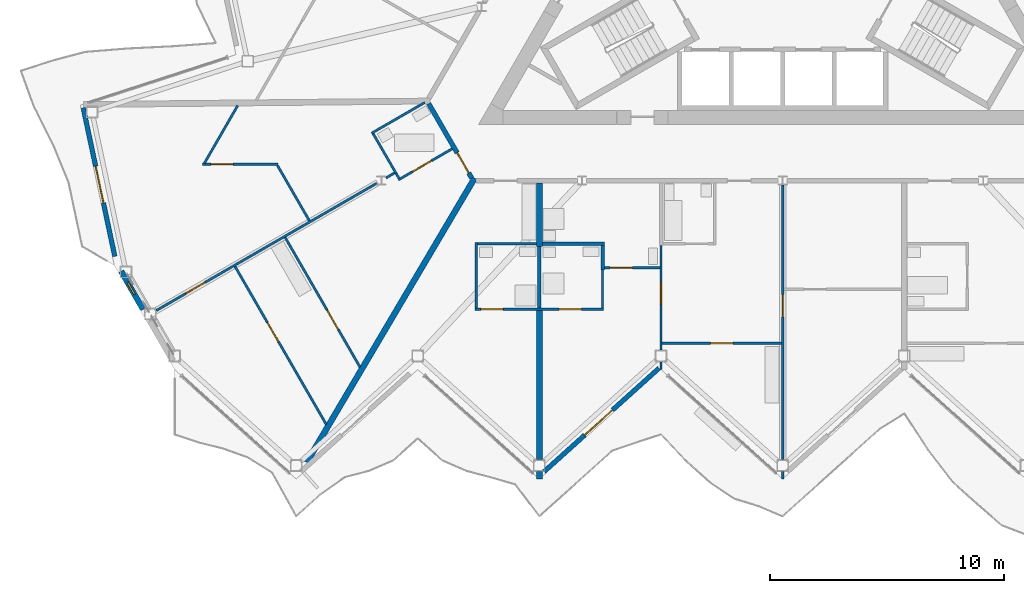
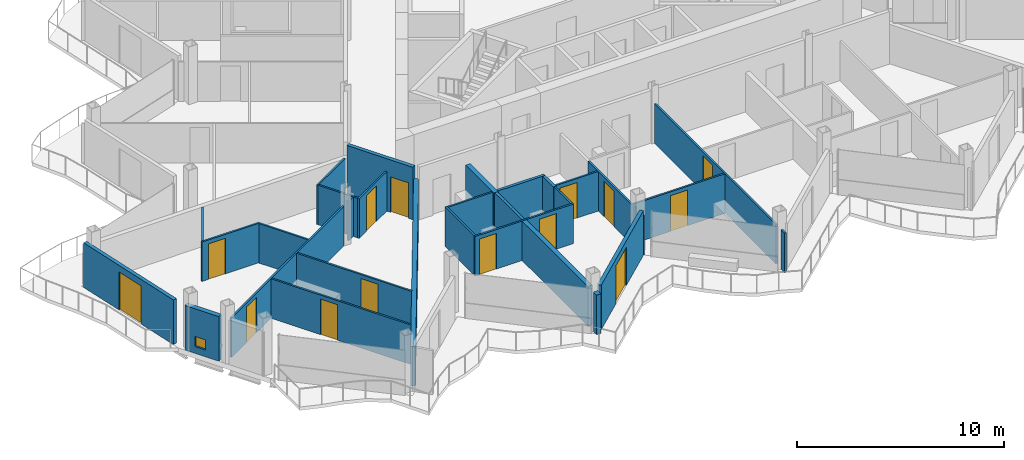
# One storey, part 12 of 26: 32 walls, 14 doors, 1 window, 15 openings.
"""IFC4 building model written with IfcOpenShell, lengths in metres."""

from ifc_helpers import new_model, si_unit, direction, frame, frame_2d, origin, place, context, subcontext, project, spatial, rectangle, extrude, material, layer, layer_set, type_object, element, fill, save


model = new_model("IFC4")

# Units and contexts
model_context = context("Model", 3, precision=1e-05, world=origin(), true_north=direction((0.0, 1.0)))
body_context = subcontext(model_context, "Body", "Model", "MODEL_VIEW")
ifc_project = project(units=[si_unit("LENGTHUNIT", "METRE"), si_unit("AREAUNIT", "SQUARE_METRE"), si_unit("VOLUMEUNIT", "CUBIC_METRE"), si_unit("PLANEANGLEUNIT", "RADIAN"), si_unit("MASSUNIT", "GRAM", prefix="KILO")], contexts=[model_context])

# Site, building, storey
site_placement = place(None, origin())
site = spatial("IfcSite", under=ifc_project, at=site_placement, CompositionType="ELEMENT")
building_placement = place(site_placement, origin())
building = spatial("IfcBuilding", under=site, at=building_placement, Name="Cormorant Prow Tower", CompositionType="ELEMENT")
storey_placement = place(building_placement, frame((0.0, 0.0, 378.0)))
storey = spatial("IfcBuildingStorey", under=building, at=storey_placement, Name="L85", CompositionType="ELEMENT", Elevation=378.0)

# Wall, opening, door
ifc_material_1 = material(Name="Gypsum board corridor wall")
ifc_layer_1 = layer(ifc_material_1, 0.199951171875)
ifc_layer_set_1 = layer_set([ifc_layer_1], Name="Gypsum board corridor wall")
wall_type_1 = type_object("IfcWallType", Name="Corridor wall 200", PredefinedType="PARTITIONING", material=ifc_layer_set_1)
wall_1_placement = place(storey_placement, frame((-15.13134765625, -6.61376953125, 0.0), z_axis=(0.0, 0.0, 1.0), x_axis=(0.499967746641, -0.866044024469, 0.0)))
wall_1 = element("IfcWall", 1, at=wall_1_placement, inside=storey, type_object=wall_type_1, Name="Corridor wall", PredefinedType="PARTITIONING", context=body_context, shape_type="SweptSolid", body=[
    extrude(rectangle(XDim=3.676025390625, YDim=0.199951171875, at=frame_2d((1.837890625, 0.0))), origin(), (0.0, 0.0, 1.0), 3.10009765625),
])
opening_1_placement = place(wall_1_placement, frame((2.426025390625, 0.0, 0.0)))
opening_1 = element("IfcOpeningElement", 2, at=opening_1_placement, cuts=wall_1, Name="Opening L85-F53", PredefinedType="OPENING", context=body_context, shape_type="SweptSolid", body=[
    extrude(rectangle(XDim=1.0, YDim=2.10009765625, at=frame_2d((0.5, 1.050048828125))), frame((0.0, 0.10986328125, 0.0), z_axis=(0.0, -1.0, 0.0), x_axis=(1.0, 0.0, 0.0)), (0.0, 0.0, 1.0), 0.219970703125),
])
ifc_material_2 = material(Name="Timber door leaf", Category="wood")
door_type_1 = type_object("IfcDoorType", Name="Flat or room entrance door 1000x2100", OperationType="NOTDEFINED", PredefinedType="DOOR", material=ifc_material_2)
door_1_placement = place(opening_1_placement, origin())
door_1 = element("IfcDoor", 3, at=door_1_placement, inside=storey, type_object=door_type_1, Name="Living room door", OperationType="SINGLE_SWING_RIGHT", OverallHeight=2.10009765625, OverallWidth=1.0, PredefinedType="DOOR", context=body_context, shape_type="SweptSolid", body=[
    extrude(rectangle(XDim=1.0, YDim=2.10009765625, at=frame_2d((0.5, 1.050048828125))), frame((0.0, 0.02490234375, 0.0), z_axis=(0.0, -1.0, 0.0), x_axis=(1.0, 0.0, 0.0)), (0.0, 0.0, 1.0), 0.050048828125),
])
fill(opening_1, door_1)

ifc_material_3 = material(Name="Gypsum board partition")
ifc_layer_2 = layer(ifc_material_3, 0.10009765625)
ifc_layer_set_2 = layer_set([ifc_layer_2], Name="Gypsum board partition")
wall_type_2 = type_object("IfcWallType", Name="Internal partition 100", PredefinedType="PARTITIONING", material=ifc_layer_set_2)
wall_2_placement = place(storey_placement, frame((0.0, -21.827880859375, 0.0), z_axis=(0.0, 0.0, 1.0), x_axis=(0.0, 1.0, 0.0)))
wall_2 = element("IfcWall", 4, at=wall_2_placement, inside=storey, type_object=wall_type_2, Name="Internal partition", PredefinedType="PARTITIONING", context=body_context, shape_type="SweptSolid", body=[
    extrude(rectangle(XDim=11.725341796875, YDim=0.10009765625, at=frame_2d((5.86279296875, 0.0))), origin(), (0.0, 0.0, 1.0), 2.330078125),
])
opening_2_placement = place(wall_2_placement, frame((6.0927734375, 0.0, 0.0)))
opening_2 = element("IfcOpeningElement", 5, at=opening_2_placement, cuts=wall_2, Name="Opening L85-F08", PredefinedType="OPENING", context=body_context, shape_type="SweptSolid", body=[
    extrude(rectangle(XDim=0.949951171875, YDim=2.10009765625, at=frame_2d((0.47509765625, 1.050048828125))), frame((0.0, 0.06005859375, 0.0), z_axis=(0.0, -1.0, 0.0), x_axis=(1.0, 0.0, 0.0)), (0.0, 0.0, 1.0), 0.1201171875),
])
ifc_material_4 = material(Name="Timber door leaf", Category="wood")
door_type_2 = type_object("IfcDoorType", Name="Bathroom door 950x2100", OperationType="NOTDEFINED", PredefinedType="DOOR", material=ifc_material_4)
door_2_placement = place(opening_2_placement, origin())
door_2 = element("IfcDoor", 6, at=door_2_placement, inside=storey, type_object=door_type_2, Name="Living room door", OperationType="SINGLE_SWING_RIGHT", OverallHeight=2.10009765625, OverallWidth=0.949951171875, PredefinedType="DOOR", context=body_context, shape_type="SweptSolid", body=[
    extrude(rectangle(XDim=0.949951171875, YDim=2.10009765625, at=frame_2d((0.47509765625, 1.050048828125))), frame((0.0, 0.02490234375, 0.0), z_axis=(0.0, -1.0, 0.0), x_axis=(1.0, 0.0, 0.0)), (0.0, 0.0, 1.0), 0.050048828125),
])
fill(opening_2, door_2)

wall_3_placement = place(storey_placement, frame((-26.77685546875, -15.459716796875, 0.0), z_axis=(0.0, 0.0, 1.0), x_axis=(0.866019680922, 0.500009912158, 0.0)))
wall_3 = element("IfcWall", 7, at=wall_3_placement, inside=storey, type_object=wall_type_2, Name="Internal partition", PredefinedType="PARTITIONING", context=body_context, shape_type="SweptSolid", body=[
    extrude(rectangle(XDim=10.880615234375, YDim=0.10009765625, at=frame_2d((5.4404296875, 0.0))), origin(), (0.0, 0.0, 1.0), 2.330078125),
])
opening_3_placement = place(wall_3_placement, frame((1.453857421875, 0.0, 0.0)))
opening_3 = element("IfcOpeningElement", 8, at=opening_3_placement, cuts=wall_3, Name="Opening L85-F57", PredefinedType="OPENING", context=body_context, shape_type="SweptSolid", body=[
    extrude(rectangle(XDim=0.949951171875, YDim=2.10009765625, at=frame_2d((0.47509765625, 1.050048828125))), frame((0.0, 0.06005859375, 0.0), z_axis=(0.0, -1.0, 0.0), x_axis=(1.0, 0.0, 0.0)), (0.0, 0.0, 1.0), 0.1201171875),
])
door_3_placement = place(opening_3_placement, origin())
door_3 = element("IfcDoor", 9, at=door_3_placement, inside=storey, type_object=door_type_2, Name="Dining room door", OperationType="SINGLE_SWING_RIGHT", OverallHeight=2.10009765625, OverallWidth=0.949951171875, PredefinedType="DOOR", context=body_context, shape_type="SweptSolid", body=[
    extrude(rectangle(XDim=0.949951171875, YDim=2.10009765625, at=frame_2d((0.47509765625, 1.050048828125))), frame((0.0, 0.02490234375, 0.0), z_axis=(0.0, -1.0, 0.0), x_axis=(1.0, 0.0, 0.0)), (0.0, 0.0, 1.0), 0.050048828125),
])
fill(opening_3, door_3)

wall_4_placement = place(storey_placement, frame((-23.41259765625, -13.574951171875, 0.0), z_axis=(0.0, 0.0, 1.0), x_axis=(0.499998958472, -0.86602600511, 0.0)))
wall_4 = element("IfcWall", 10, at=wall_4_placement, inside=storey, type_object=wall_type_2, Name="Internal partition", PredefinedType="PARTITIONING", context=body_context, shape_type="SweptSolid", body=[
    extrude(rectangle(XDim=7.7958984375, YDim=0.10009765625, at=frame_2d((3.89794921875, 0.0))), origin(), (0.0, 0.0, 1.0), 2.330078125),
])
opening_4_placement = place(wall_4_placement, frame((2.76806640625, 0.0, 0.0)))
opening_4 = element("IfcOpeningElement", 11, at=opening_4_placement, cuts=wall_4, Name="Opening L85-F56", PredefinedType="OPENING", context=body_context, shape_type="SweptSolid", body=[
    extrude(rectangle(XDim=0.949951171875, YDim=2.10009765625, at=frame_2d((0.47509765625, 1.050048828125))), frame((0.0, 0.06005859375, 0.0), z_axis=(0.0, -1.0, 0.0), x_axis=(1.0, 0.0, 0.0)), (0.0, 0.0, 1.0), 0.1201171875),
])
door_4_placement = place(opening_4_placement, origin())
door_4 = element("IfcDoor", 12, at=door_4_placement, inside=storey, type_object=door_type_2, Name="Kitchen door", OperationType="SINGLE_SWING_RIGHT", OverallHeight=2.10009765625, OverallWidth=0.949951171875, PredefinedType="DOOR", context=body_context, shape_type="SweptSolid", body=[
    extrude(rectangle(XDim=0.949951171875, YDim=2.10009765625, at=frame_2d((0.47509765625, 1.050048828125))), frame((0.0, 0.02490234375, 0.0), z_axis=(0.0, -1.0, 0.0), x_axis=(1.0, 0.0, 0.0)), (0.0, 0.0, 1.0), 0.050048828125),
])
fill(opening_4, door_4)

wall_5_placement = place(storey_placement, frame((-21.269287109375, -12.33740234375, 0.0), z_axis=(0.0, 0.0, 1.0), x_axis=(0.499983315828, -0.866035036182, 0.0)))
wall_5 = element("IfcWall", 13, at=wall_5_placement, inside=storey, type_object=wall_type_2, Name="Internal partition", PredefinedType="PARTITIONING", context=body_context, shape_type="SweptSolid", body=[
    extrude(rectangle(XDim=6.400146484375, YDim=0.10009765625, at=frame_2d((3.2001953125, 0.0))), origin(), (0.0, 0.0, 1.0), 2.330078125),
])
opening_5_placement = place(wall_5_placement, frame((3.583740234375, 0.0, 0.0)))
opening_5 = element("IfcOpeningElement", 14, at=opening_5_placement, cuts=wall_5, Name="Opening L85-F55", PredefinedType="OPENING", context=body_context, shape_type="SweptSolid", body=[
    extrude(rectangle(XDim=0.949951171875, YDim=2.10009765625, at=frame_2d((0.47509765625, 1.050048828125))), frame((0.0, 0.06005859375, 0.0), z_axis=(0.0, -1.0, 0.0), x_axis=(1.0, 0.0, 0.0)), (0.0, 0.0, 1.0), 0.1201171875),
])
door_5_placement = place(opening_5_placement, origin())
door_5 = element("IfcDoor", 15, at=door_5_placement, inside=storey, type_object=door_type_2, Name="Living room door", OperationType="SINGLE_SWING_RIGHT", OverallHeight=2.10009765625, OverallWidth=0.949951171875, PredefinedType="DOOR", context=body_context, shape_type="SweptSolid", body=[
    extrude(rectangle(XDim=0.949951171875, YDim=2.10009765625, at=frame_2d((0.47509765625, 1.050048828125))), frame((0.0, 0.02490234375, 0.0), z_axis=(0.0, -1.0, 0.0), x_axis=(1.0, 0.0, 0.0)), (0.0, 0.0, 1.0), 0.050048828125),
])
fill(opening_5, door_5)

# Wall, openings, doors
wall_6_placement = place(storey_placement, frame((-13.14990234375, -15.405517578125, 0.0), z_axis=(0.0, 0.0, 1.0), x_axis=(1.0, 0.0, 0.0)))
wall_6 = element("IfcWall", 16, at=wall_6_placement, inside=storey, type_object=wall_type_2, Name="Internal partition", PredefinedType="PARTITIONING", context=body_context, shape_type="SweptSolid", body=[
    extrude(rectangle(XDim=5.5, YDim=0.10009765625, at=frame_2d((2.75, 0.0))), origin(), (0.0, 0.0, 1.0), 2.330078125),
])
opening_6_placement = place(wall_6_placement, frame((0.25, 0.0, 0.0)))
opening_6 = element("IfcOpeningElement", 17, at=opening_6_placement, cuts=wall_6, Name="Opening L85-F02", PredefinedType="OPENING", context=body_context, shape_type="SweptSolid", body=[
    extrude(rectangle(XDim=0.949951171875, YDim=2.10009765625, at=frame_2d((0.47509765625, 1.050048828125))), frame((0.0, 0.06005859375, 0.0), z_axis=(0.0, -1.0, 0.0), x_axis=(1.0, 0.0, 0.0)), (0.0, 0.0, 1.0), 0.1201171875),
])
opening_7_placement = place(wall_6_placement, frame((3.59130859375, 0.0, 0.0)))
opening_7 = element("IfcOpeningElement", 18, at=opening_7_placement, cuts=wall_6, Name="Opening L85-F10", PredefinedType="OPENING", context=body_context, shape_type="SweptSolid", body=[
    extrude(rectangle(XDim=0.949951171875, YDim=2.10009765625, at=frame_2d((0.47509765625, 1.050048828125))), frame((0.0, 0.06005859375, 0.0), z_axis=(0.0, -1.0, 0.0), x_axis=(1.0, 0.0, 0.0)), (0.0, 0.0, 1.0), 0.1201171875),
])
door_6_placement = place(opening_6_placement, origin())
door_6 = element("IfcDoor", 19, at=door_6_placement, inside=storey, type_object=door_type_2, Name="Studio living, kitchen and sleeping room door", OperationType="SINGLE_SWING_LEFT", OverallHeight=2.10009765625, OverallWidth=0.949951171875, PredefinedType="DOOR", context=body_context, shape_type="SweptSolid", body=[
    extrude(rectangle(XDim=0.949951171875, YDim=2.10009765625, at=frame_2d((0.47509765625, 1.050048828125))), frame((0.0, 0.02490234375, 0.0), z_axis=(0.0, -1.0, 0.0), x_axis=(1.0, 0.0, 0.0)), (0.0, 0.0, 1.0), 0.050048828125),
])
fill(opening_6, door_6)
door_7_placement = place(opening_7_placement, origin())
door_7 = element("IfcDoor", 20, at=door_7_placement, inside=storey, type_object=door_type_2, Name="Bedroom door", OperationType="SINGLE_SWING_LEFT", OverallHeight=2.10009765625, OverallWidth=0.949951171875, PredefinedType="DOOR", context=body_context, shape_type="SweptSolid", body=[
    extrude(rectangle(XDim=0.949951171875, YDim=2.10009765625, at=frame_2d((0.47509765625, 1.050048828125))), frame((0.0, 0.02490234375, 0.0), z_axis=(0.0, -1.0, 0.0), x_axis=(1.0, 0.0, 0.0)), (0.0, 0.0, 1.0), 0.050048828125),
])
fill(opening_7, door_7)

# Wall, opening, door
wall_7_placement = place(storey_placement, frame((-5.14990234375, -16.863037109375, 0.0), z_axis=(0.0, 0.0, 1.0), x_axis=(1.0, 0.0, 0.0)))
wall_7 = element("IfcWall", 21, at=wall_7_placement, inside=storey, type_object=wall_type_2, Name="Internal partition", PredefinedType="PARTITIONING", context=body_context, shape_type="SweptSolid", body=[
    extrude(rectangle(XDim=5.099853515625, YDim=0.10009765625, at=frame_2d((2.5498046875, 0.0))), origin(), (0.0, 0.0, 1.0), 2.330078125),
])
opening_8_placement = place(wall_7_placement, frame((2.074951171875, 0.0, 0.0)))
opening_8 = element("IfcOpeningElement", 22, at=opening_8_placement, cuts=wall_7, Name="Opening L85-F05", PredefinedType="OPENING", context=body_context, shape_type="SweptSolid", body=[
    extrude(rectangle(XDim=0.949951171875, YDim=2.10009765625, at=frame_2d((0.47509765625, 1.050048828125))), frame((0.0, 0.06005859375, 0.0), z_axis=(0.0, -1.0, 0.0), x_axis=(1.0, 0.0, 0.0)), (0.0, 0.0, 1.0), 0.1201171875),
])
door_8_placement = place(opening_8_placement, origin())
door_8 = element("IfcDoor", 23, at=door_8_placement, inside=storey, type_object=door_type_2, Name="Living room door", OperationType="SINGLE_SWING_LEFT", OverallHeight=2.10009765625, OverallWidth=0.949951171875, PredefinedType="DOOR", context=body_context, shape_type="SweptSolid", body=[
    extrude(rectangle(XDim=0.949951171875, YDim=2.10009765625, at=frame_2d((0.47509765625, 1.050048828125))), frame((0.0, 0.02490234375, 0.0), z_axis=(0.0, -1.0, 0.0), x_axis=(1.0, 0.0, 0.0)), (0.0, 0.0, 1.0), 0.050048828125),
])
fill(opening_8, door_8)

wall_8_placement = place(storey_placement, frame((-5.199951171875, -17.145751953125, 0.0), z_axis=(0.0, 0.0, 1.0), x_axis=(0.0, 1.0, 0.0)))
wall_8 = element("IfcWall", 24, at=wall_8_placement, inside=storey, type_object=wall_type_2, Name="Internal partition", PredefinedType="PARTITIONING", context=body_context, shape_type="SweptSolid", body=[
    extrude(rectangle(XDim=4.465087890625, YDim=0.10009765625, at=frame_2d((2.232421875, 0.0))), origin(), (0.0, 0.0, 1.0), 2.330078125),
])
opening_9_placement = place(wall_8_placement, frame((1.95849609375, 0.0, 0.0)))
opening_9 = element("IfcOpeningElement", 25, at=opening_9_placement, cuts=wall_8, Name="Opening L85-F06", PredefinedType="OPENING", context=body_context, shape_type="SweptSolid", body=[
    extrude(rectangle(XDim=0.949951171875, YDim=2.10009765625, at=frame_2d((0.47509765625, 1.050048828125))), frame((0.0, 0.06005859375, 0.0), z_axis=(0.0, -1.0, 0.0), x_axis=(1.0, 0.0, 0.0)), (0.0, 0.0, 1.0), 0.1201171875),
])
door_9_placement = place(opening_9_placement, origin())
door_9 = element("IfcDoor", 26, at=door_9_placement, inside=storey, type_object=door_type_2, Name="Living room door", OperationType="SINGLE_SWING_RIGHT", OverallHeight=2.10009765625, OverallWidth=0.949951171875, PredefinedType="DOOR", context=body_context, shape_type="SweptSolid", body=[
    extrude(rectangle(XDim=0.949951171875, YDim=2.10009765625, at=frame_2d((0.47509765625, 1.050048828125))), frame((0.0, 0.02490234375, 0.0), z_axis=(0.0, -1.0, 0.0), x_axis=(1.0, 0.0, 0.0)), (0.0, 0.0, 1.0), 0.050048828125),
])
fill(opening_9, door_9)

wall_9_placement = place(storey_placement, frame((-24.80078125, -9.21240234375, 0.0), z_axis=(0.0, 0.0, 1.0), x_axis=(1.0, 0.0, 0.0)))
wall_9 = element("IfcWall", 27, at=wall_9_placement, inside=storey, type_object=wall_type_2, Name="Internal partition", PredefinedType="PARTITIONING", context=body_context, shape_type="SweptSolid", body=[
    extrude(rectangle(XDim=3.2255859375, YDim=0.10009765625, at=frame_2d((1.61279296875, 0.0))), origin(), (0.0, 0.0, 1.0), 2.330078125),
])
opening_10_placement = place(wall_9_placement, frame((0.3544921875, 0.0, 0.0)))
opening_10 = element("IfcOpeningElement", 28, at=opening_10_placement, cuts=wall_9, Name="Opening L85-F58", PredefinedType="OPENING", context=body_context, shape_type="SweptSolid", body=[
    extrude(rectangle(XDim=0.949951171875, YDim=2.10009765625, at=frame_2d((0.47509765625, 1.050048828125))), frame((0.0, 0.06005859375, 0.0), z_axis=(0.0, -1.0, 0.0), x_axis=(1.0, 0.0, 0.0)), (0.0, 0.0, 1.0), 0.1201171875),
])
door_10_placement = place(opening_10_placement, origin())
door_10 = element("IfcDoor", 29, at=door_10_placement, inside=storey, type_object=door_type_2, Name="Principal bedroom door", OperationType="SINGLE_SWING_LEFT", OverallHeight=2.10009765625, OverallWidth=0.949951171875, PredefinedType="DOOR", context=body_context, shape_type="SweptSolid", body=[
    extrude(rectangle(XDim=0.949951171875, YDim=2.10009765625, at=frame_2d((0.47509765625, 1.050048828125))), frame((0.0, 0.02490234375, 0.0), z_axis=(0.0, -1.0, 0.0), x_axis=(1.0, 0.0, 0.0)), (0.0, 0.0, 1.0), 0.050048828125),
])
fill(opening_10, door_10)

# Walls
wall_10_placement = place(storey_placement, frame((-24.725830078125, -9.169189453125, 0.0), z_axis=(0.0, 0.0, 1.0), x_axis=(0.499971481985, 0.866041868042, 0.0)))
element("IfcWall", 30, at=wall_10_placement, inside=storey, type_object=wall_type_2, Name="Internal partition", PredefinedType="PARTITIONING", context=body_context, shape_type="SweptSolid", body=[
    extrude(rectangle(XDim=2.857177734375, YDim=0.10009765625, at=frame_2d((1.4287109375, 0.0))), origin(), (0.0, 0.0, 1.0), 2.330078125),
])
wall_11_placement = place(storey_placement, frame((-21.60009765625, -9.255859375, 0.0), z_axis=(0.0, 0.0, 1.0), x_axis=(0.500018733116, -0.866014587945, 0.0)))
element("IfcWall", 31, at=wall_11_placement, inside=storey, type_object=wall_type_2, Name="Internal partition", PredefinedType="PARTITIONING", context=body_context, shape_type="SweptSolid", body=[
    extrude(rectangle(XDim=2.734375, YDim=0.10009765625, at=frame_2d((1.3671875, 0.0))), origin(), (0.0, 0.0, 1.0), 2.330078125),
])
wall_12_placement = place(storey_placement, frame((-13.10009765625, -15.355712890625, 0.0), z_axis=(0.0, 0.0, 1.0), x_axis=(0.0, 1.0, 0.0)))
element("IfcWall", 32, at=wall_12_placement, inside=storey, type_object=wall_type_2, Name="Internal partition", PredefinedType="PARTITIONING", context=body_context, shape_type="SweptSolid", body=[
    extrude(rectangle(XDim=2.800048828125, YDim=0.10009765625, at=frame_2d((1.39990234375, 0.0))), origin(), (0.0, 0.0, 1.0), 2.330078125),
])
wall_13_placement = place(storey_placement, frame((-17.575439453125, -7.880615234375, 0.0), z_axis=(0.0, 0.0, 1.0), x_axis=(0.866036909293, 0.499980071345, 0.0)))
element("IfcWall", 33, at=wall_13_placement, inside=storey, type_object=wall_type_2, Name="Internal partition", PredefinedType="PARTITIONING", context=body_context, shape_type="SweptSolid", body=[
    extrude(rectangle(XDim=2.625, YDim=0.10009765625, at=frame_2d((1.3125, 0.0))), origin(), (0.0, 0.0, 1.0), 2.330078125),
])
wall_14_placement = place(storey_placement, frame((-13.050048828125, -12.605712890625, 0.0), z_axis=(0.0, 0.0, 1.0), x_axis=(1.0, 0.0, 0.0)))
element("IfcWall", 34, at=wall_14_placement, inside=storey, type_object=wall_type_2, Name="Internal partition", PredefinedType="PARTITIONING", context=body_context, shape_type="SweptSolid", body=[
    extrude(rectangle(XDim=2.525146484375, YDim=0.10009765625, at=frame_2d((1.2626953125, 0.0))), origin(), (0.0, 0.0, 1.0), 2.330078125),
])

# Wall, opening, door
wall_15_placement = place(storey_placement, frame((-16.4248046875, -9.871826171875, 0.0), z_axis=(0.0, 0.0, 1.0), x_axis=(0.86603978909, 0.499975083092, 0.0)))
wall_15 = element("IfcWall", 35, at=wall_15_placement, inside=storey, type_object=wall_type_2, Name="Internal partition", PredefinedType="PARTITIONING", context=body_context, shape_type="SweptSolid", body=[
    extrude(rectangle(XDim=2.649169921875, YDim=0.10009765625, at=frame_2d((1.32470703125, 0.0))), origin(), (0.0, 0.0, 1.0), 2.330078125),
])
opening_11_placement = place(wall_15_placement, frame((0.68603515625, 0.0, 0.0)))
opening_11 = element("IfcOpeningElement", 36, at=opening_11_placement, cuts=wall_15, Name="Opening L85-F54", PredefinedType="OPENING", context=body_context, shape_type="SweptSolid", body=[
    extrude(rectangle(XDim=0.949951171875, YDim=2.10009765625, at=frame_2d((0.47509765625, 1.050048828125))), frame((0.0, 0.06005859375, 0.0), z_axis=(0.0, -1.0, 0.0), x_axis=(1.0, 0.0, 0.0)), (0.0, 0.0, 1.0), 0.1201171875),
])
door_11_placement = place(opening_11_placement, origin())
door_11 = element("IfcDoor", 37, at=door_11_placement, inside=storey, type_object=door_type_2, Name="Living room door", OperationType="SINGLE_SWING_LEFT", OverallHeight=2.10009765625, OverallWidth=0.949951171875, PredefinedType="DOOR", context=body_context, shape_type="SweptSolid", body=[
    extrude(rectangle(XDim=0.949951171875, YDim=2.10009765625, at=frame_2d((0.47509765625, 1.050048828125))), frame((0.0, 0.02490234375, 0.0), z_axis=(0.0, -1.0, 0.0), x_axis=(1.0, 0.0, 0.0)), (0.0, 0.0, 1.0), 0.050048828125),
])
fill(opening_11, door_11)

wall_16_placement = place(storey_placement, frame((-7.625, -13.63720703125, 0.0), z_axis=(0.0, 0.0, 1.0), x_axis=(1.0, 0.0, 0.0)))
wall_16 = element("IfcWall", 38, at=wall_16_placement, inside=storey, type_object=wall_type_2, Name="Internal partition", PredefinedType="PARTITIONING", context=body_context, shape_type="SweptSolid", body=[
    extrude(rectangle(XDim=2.375, YDim=0.10009765625, at=frame_2d((1.1875, 0.0))), origin(), (0.0, 0.0, 1.0), 2.330078125),
])
opening_12_placement = place(wall_16_placement, frame((0.25, 0.0, 0.0)))
opening_12 = element("IfcOpeningElement", 39, at=opening_12_placement, cuts=wall_16, Name="Opening L85-F07", PredefinedType="OPENING", context=body_context, shape_type="SweptSolid", body=[
    extrude(rectangle(XDim=0.949951171875, YDim=2.10009765625, at=frame_2d((0.47509765625, 1.050048828125))), frame((0.0, 0.06005859375, 0.0), z_axis=(0.0, -1.0, 0.0), x_axis=(1.0, 0.0, 0.0)), (0.0, 0.0, 1.0), 0.1201171875),
])
door_12_placement = place(opening_12_placement, origin())
door_12 = element("IfcDoor", 40, at=door_12_placement, inside=storey, type_object=door_type_2, Name="Bedroom door", OperationType="SINGLE_SWING_LEFT", OverallHeight=2.10009765625, OverallWidth=0.949951171875, PredefinedType="DOOR", context=body_context, shape_type="SweptSolid", body=[
    extrude(rectangle(XDim=0.949951171875, YDim=2.10009765625, at=frame_2d((0.47509765625, 1.050048828125))), frame((0.0, 0.02490234375, 0.0), z_axis=(0.0, -1.0, 0.0), x_axis=(1.0, 0.0, 0.0)), (0.0, 0.0, 1.0), 0.050048828125),
])
fill(opening_12, door_12)

# Walls
wall_17_placement = place(storey_placement, frame((-17.507080078125, -7.898681640625, 0.0), z_axis=(0.0, 0.0, 1.0), x_axis=(0.500011643316, -0.866018681408, 0.0)))
element("IfcWall", 41, at=wall_17_placement, inside=storey, type_object=wall_type_2, Name="Internal partition", PredefinedType="PARTITIONING", context=body_context, shape_type="SweptSolid", body=[
    extrude(rectangle(XDim=1.97314453125, YDim=0.10009765625, at=frame_2d((0.986572265625, 0.0))), origin(), (0.0, 0.0, 1.0), 2.330078125),
])
wall_18_placement = place(storey_placement, frame((-7.699951171875, -15.355712890625, 0.0), z_axis=(0.0, 0.0, 1.0), x_axis=(0.0, 1.0, 0.0)))
element("IfcWall", 42, at=wall_18_placement, inside=storey, type_object=wall_type_2, Name="Internal partition", PredefinedType="PARTITIONING", context=body_context, shape_type="SweptSolid", body=[
    extrude(rectangle(XDim=1.653564453125, YDim=0.10009765625, at=frame_2d((0.82666015625, 0.0))), origin(), (0.0, 0.0, 1.0), 2.330078125),
])
wall_19_placement = place(storey_placement, frame((-16.9599609375, -9.791748046875, 0.0), z_axis=(0.0, 0.0, 1.0), x_axis=(0.866137484628, 0.499805820016, 0.0)))
element("IfcWall", 43, at=wall_19_placement, inside=storey, type_object=wall_type_2, Name="Internal partition", PredefinedType="PARTITIONING", context=body_context, shape_type="SweptSolid", body=[
    extrude(rectangle(XDim=0.422607421875, YDim=0.10009765625, at=frame_2d((0.21142578125, 0.0))), origin(), (0.0, 0.0, 1.0), 2.330078125),
])
for number, where, z_axis, x_axis, name in (
    (44, (-5.199951171875, -17.9833984375, 0.0), (0.0, 0.0, 1.0), (0.0, 1.0, 0.0), "Internal partition"),
    (45, (0.0, -22.66552734375, 0.0), (0.0, 0.0, 1.0), (0.0, 1.0, 0.0), "Internal partition"),
):
    element("IfcWall", number, at=place(storey_placement, frame(where, z_axis=z_axis, x_axis=x_axis)), inside=storey, type_object=wall_type_2, Name=name, PredefinedType="PARTITIONING", context=body_context, shape_type="SweptSolid", body=[
        extrude(rectangle(XDim=0.317626953125, YDim=0.10009765625, at=frame_2d((0.15869140625, 0.0))), origin(), (0.0, 0.0, 1.0), 2.330078125),
    ])
wall_20_placement = place(storey_placement, frame((-16.519287109375, -9.609619140625, 0.0), z_axis=(0.0, 0.0, 1.0), x_axis=(0.50245032488, -0.864606078528, 0.0)))
element("IfcWall", 46, at=wall_20_placement, inside=storey, type_object=wall_type_2, Name="Internal partition", PredefinedType="PARTITIONING", context=body_context, shape_type="SweptSolid", body=[
    extrude(rectangle(XDim=0.224365234375, YDim=0.10009765625, at=frame_2d((0.1123046875, 0.0))), origin(), (0.0, 0.0, 1.0), 2.330078125),
])
ifc_material_5 = material(Name="Acoustic gypsum party wall")
ifc_layer_3 = layer(ifc_material_5, 0.25)
ifc_layer_set_3 = layer_set([ifc_layer_3], Name="Acoustic gypsum party wall")
wall_type_3 = type_object("IfcWallType", Name="Suite party wall 250", PredefinedType="PARTITIONING", material=ifc_layer_set_3)
wall_21_placement = place(storey_placement, frame((-20.351318359375, -21.9560546875, 0.0), z_axis=(0.0, 0.0, 1.0), x_axis=(0.508713003719, 0.860936164793, 0.0)))
element("IfcWall", 47, at=wall_21_placement, inside=storey, type_object=wall_type_3, Name="Suite party wall", PredefinedType="PARTITIONING", context=body_context, shape_type="SweptSolid", body=[
    extrude(rectangle(XDim=14.1220703125, YDim=0.25, at=frame_2d((7.06103515625, 0.0))), origin(), (0.0, 0.0, 1.0), 2.330078125),
])
wall_22_placement = place(storey_placement, frame((-10.39990234375, -21.827880859375, 0.0), z_axis=(0.0, 0.0, 1.0), x_axis=(0.0, 1.0, 0.0)))
element("IfcWall", 48, at=wall_22_placement, inside=storey, type_object=wall_type_3, Name="Suite party wall", PredefinedType="PARTITIONING", context=body_context, shape_type="SweptSolid", body=[
    extrude(rectangle(XDim=6.372314453125, YDim=0.25, at=frame_2d((3.18603515625, 0.0))), origin(), (0.0, 0.0, 1.0), 2.330078125),
])
wall_23_placement = place(storey_placement, frame((-10.39990234375, -12.730712890625, 0.0), z_axis=(0.0, 0.0, 1.0), x_axis=(0.0, 1.0, 0.0)))
element("IfcWall", 49, at=wall_23_placement, inside=storey, type_object=wall_type_3, Name="Suite party wall", PredefinedType="PARTITIONING", context=body_context, shape_type="SweptSolid", body=[
    extrude(rectangle(XDim=2.72509765625, YDim=0.25, at=frame_2d((1.362548828125, 0.0))), origin(), (0.0, 0.0, 1.0), 2.330078125),
])
wall_24_placement = place(storey_placement, frame((-10.39990234375, -22.66552734375, 0.0), z_axis=(0.0, 0.0, 1.0), x_axis=(0.0, 1.0, 0.0)))
element("IfcWall", 50, at=wall_24_placement, inside=storey, type_object=wall_type_3, Name="Suite party wall", PredefinedType="PARTITIONING", context=body_context, shape_type="SweptSolid", body=[
    extrude(rectangle(XDim=0.317626953125, YDim=0.25, at=frame_2d((0.15869140625, 0.0))), origin(), (0.0, 0.0, 1.0), 2.330078125),
])

# Wall, opening, window
ifc_material_6 = material(Name="Terracotta", Category="masonry")
ifc_layer_4 = layer(ifc_material_6, 0.25)
ifc_layer_set_4 = layer_set([ifc_layer_4], Name="Terracotta")
wall_type_4 = type_object("IfcWallType", Name="Terracotta bay wall 250", PredefinedType="SOLIDWALL", material=ifc_layer_set_4)
wall_25_placement = place(storey_placement, frame((-28.282958984375, -13.779296875, 0.0), z_axis=(0.0, 0.0, 1.0), x_axis=(0.500044242988, -0.865999858577, 0.0)))
wall_25 = element("IfcWall", 51, at=wall_25_placement, inside=storey, type_object=wall_type_4, Name="Terracotta bay wall WSW00", PredefinedType="SOLIDWALL", context=body_context, shape_type="SweptSolid", body=[
    extrude(rectangle(XDim=1.882568359375, YDim=0.25, at=frame_2d((0.94140625, 0.0))), origin(), (0.0, 0.0, 1.0), 2.6337890625),
])
opening_13_placement = place(wall_25_placement, frame((0.550048828125, 0.0, 0.39990234375)))
opening_13 = element("IfcOpeningElement", 52, at=opening_13_placement, cuts=wall_25, Name="Opening WN10", PredefinedType="OPENING", context=body_context, shape_type="SweptSolid", body=[
    extrude(rectangle(XDim=0.60009765625, YDim=0.60009765625, at=frame_2d((0.300048828125, 0.300048828125))), frame((0.0, 0.135009765625, 0.0), z_axis=(0.0, -1.0, 0.0), x_axis=(1.0, 0.0, 0.0)), (0.0, 0.0, 1.0), 0.27001953125),
])
ifc_material_7 = material(Name="Aluminium 6063-T6", Category="aluminium")
window_type = type_object("IfcWindowType", Name="Corner bay window 600x600", PartitioningType="SINGLE_PANEL", PredefinedType="WINDOW", material=ifc_material_7)
window_placement = place(opening_13_placement, origin())
window = element("IfcWindow", 53, at=window_placement, inside=storey, type_object=window_type, Name="Corner bay window WSW00", OverallHeight=0.60009765625, OverallWidth=0.60009765625, PartitioningType="SINGLE_PANEL", PredefinedType="WINDOW", context=body_context, shape_type="SweptSolid", body=[
    extrude(rectangle(XDim=0.60009765625, YDim=0.60009765625, at=frame_2d((0.300048828125, 0.300048828125))), frame((0.0, 0.030029296875, 0.0), z_axis=(0.0, -1.0, 0.0), x_axis=(1.0, 0.0, 0.0)), (0.0, 0.0, 1.0), 0.06005859375),
])
fill(opening_13, window)

# Wall, opening, door
ifc_material_8 = material(Name="Terracotta", Category="masonry")
ifc_layer_5 = layer(ifc_material_8, 0.199951171875)
ifc_layer_set_5 = layer_set([ifc_layer_5], Name="Terracotta")
wall_type_5 = type_object("IfcWallType", Name="Terracotta jamb wall 200", PredefinedType="SOLIDWALL", material=ifc_layer_set_5)
wall_26_placement = place(storey_placement, frame((-10.19482421875, -22.346435546875, 0.0), z_axis=(0.0, 0.0, 1.0), x_axis=(0.74313432117, 0.66914227239, 0.0)))
wall_26 = element("IfcWall", 54, at=wall_26_placement, inside=storey, type_object=wall_type_5, Name="Terracotta jamb wall S03", PredefinedType="SOLIDWALL", context=body_context, shape_type="SweptSolid", body=[
    extrude(rectangle(XDim=6.60888671875, YDim=0.199951171875, at=frame_2d((3.304443359375, 0.0))), origin(), (0.0, 0.0, 1.0), 2.6337890625),
])
opening_14_placement = place(wall_26_placement, frame((2.332763671875, 0.0, 0.0)))
opening_14 = element("IfcOpeningElement", 55, at=opening_14_placement, cuts=wall_26, Name="Opening ED85.02", PredefinedType="OPENING", context=body_context, shape_type="SweptSolid", body=[
    extrude(rectangle(XDim=1.60009765625, YDim=2.25, at=frame_2d((0.800048828125, 1.125))), frame((0.0, 0.10986328125, 0.0), z_axis=(0.0, -1.0, 0.0), x_axis=(1.0, 0.0, 0.0)), (0.0, 0.0, 1.0), 0.219970703125),
])
ifc_material_9 = material(Name="Aluminium 6063-T6", Category="aluminium")
door_type_3 = type_object("IfcDoorType", Name="Balcony door 1600x2250", OperationType="DOUBLE_DOOR_SINGLE_SWING", PredefinedType="DOOR", material=ifc_material_9)
door_13_placement = place(opening_14_placement, origin())
door_13 = element("IfcDoor", 56, at=door_13_placement, inside=storey, type_object=door_type_3, Name="Balcony door S03 ED85.02", OperationType="DOUBLE_DOOR_SINGLE_SWING", OverallHeight=2.25, OverallWidth=1.60009765625, PredefinedType="DOOR", context=body_context, shape_type="SweptSolid", body=[
    extrude(rectangle(XDim=1.60009765625, YDim=2.25, at=frame_2d((0.800048828125, 1.125))), frame((0.0, 0.02490234375, 0.0), z_axis=(0.0, -1.0, 0.0), x_axis=(1.0, 0.0, 0.0)), (0.0, 0.0, 1.0), 0.050048828125),
])
fill(opening_14, door_13)

wall_27_placement = place(storey_placement, frame((-29.902587890625, -6.794677734375, 0.0), z_axis=(0.0, 0.0, 1.0), x_axis=(0.207923959653, -0.978144992832, 0.0)))
wall_27 = element("IfcWall", 57, at=wall_27_placement, inside=storey, type_object=wall_type_5, Name="Terracotta jamb wall WNW09", PredefinedType="SOLIDWALL", context=body_context, shape_type="SweptSolid", body=[
    extrude(rectangle(XDim=6.4931640625, YDim=0.199951171875, at=frame_2d((3.24658203125, 0.0))), origin(), (0.0, 0.0, 1.0), 2.6337890625),
])
opening_15_placement = place(wall_27_placement, frame((2.560791015625, 0.0, 0.0)))
opening_15 = element("IfcOpeningElement", 58, at=opening_15_placement, cuts=wall_27, Name="Opening ED85.15", PredefinedType="OPENING", context=body_context, shape_type="SweptSolid", body=[
    extrude(rectangle(XDim=1.60009765625, YDim=2.25, at=frame_2d((0.800048828125, 1.125))), frame((0.0, 0.10986328125, 0.0), z_axis=(0.0, -1.0, 0.0), x_axis=(1.0, 0.0, 0.0)), (0.0, 0.0, 1.0), 0.219970703125),
])
door_14_placement = place(opening_15_placement, origin())
door_14 = element("IfcDoor", 59, at=door_14_placement, inside=storey, type_object=door_type_3, Name="Balcony door WNW09 ED85.15", OperationType="DOUBLE_DOOR_SINGLE_SWING", OverallHeight=2.25, OverallWidth=1.60009765625, PredefinedType="DOOR", context=body_context, shape_type="SweptSolid", body=[
    extrude(rectangle(XDim=1.60009765625, YDim=2.25, at=frame_2d((0.800048828125, 1.125))), frame((0.0, 0.02490234375, 0.0), z_axis=(0.0, -1.0, 0.0), x_axis=(1.0, 0.0, 0.0)), (0.0, 0.0, 1.0), 0.050048828125),
])
fill(opening_15, door_14)

# Walls
ifc_material_10 = material(Name="Plasterboard wet wall with pipe chase")
ifc_layer_6 = layer(ifc_material_10, 0.14990234375)
ifc_layer_set_6 = layer_set([ifc_layer_6], Name="Plasterboard wet wall with pipe chase")
wall_type_6 = type_object("IfcWallType", Name="Wet wall 150", PredefinedType="PLUMBINGWALL", material=ifc_layer_set_6)
wall_28_placement = place(storey_placement, frame((-10.39990234375, -15.355712890625, 0.0), z_axis=(0.0, 0.0, 1.0), x_axis=(0.0, 1.0, 0.0)))
element("IfcWall", 60, at=wall_28_placement, inside=storey, type_object=wall_type_6, Name="Wet wall", PredefinedType="PLUMBINGWALL", context=body_context, shape_type="SweptSolid", body=[
    extrude(rectangle(XDim=2.625, YDim=0.14990234375, at=frame_2d((1.3125, 0.0))), origin(), (0.0, 0.0, 1.0), 2.330078125),
])
wall_29_placement = place(storey_placement, frame((-10.27490234375, -12.605712890625, 0.0), z_axis=(0.0, 0.0, 1.0), x_axis=(1.0, 0.0, 0.0)))
element("IfcWall", 61, at=wall_29_placement, inside=storey, type_object=wall_type_6, Name="Wet wall", PredefinedType="PLUMBINGWALL", context=body_context, shape_type="SweptSolid", body=[
    extrude(rectangle(XDim=2.64990234375, YDim=0.14990234375, at=frame_2d((1.324951171875, 0.0))), origin(), (0.0, 0.0, 1.0), 2.330078125),
])
wall_30_placement = place(storey_placement, frame((-7.699951171875, -13.72216796875, 0.0), z_axis=(0.0, 0.0, 1.0), x_axis=(0.0, 1.0, 0.0)))
element("IfcWall", 62, at=wall_30_placement, inside=storey, type_object=wall_type_6, Name="Wet wall", PredefinedType="PLUMBINGWALL", context=body_context, shape_type="SweptSolid", body=[
    extrude(rectangle(XDim=1.04150390625, YDim=0.14990234375, at=frame_2d((0.520751953125, 0.0))), origin(), (0.0, 0.0, 1.0), 2.330078125),
])

save(model, "model.ifc")
